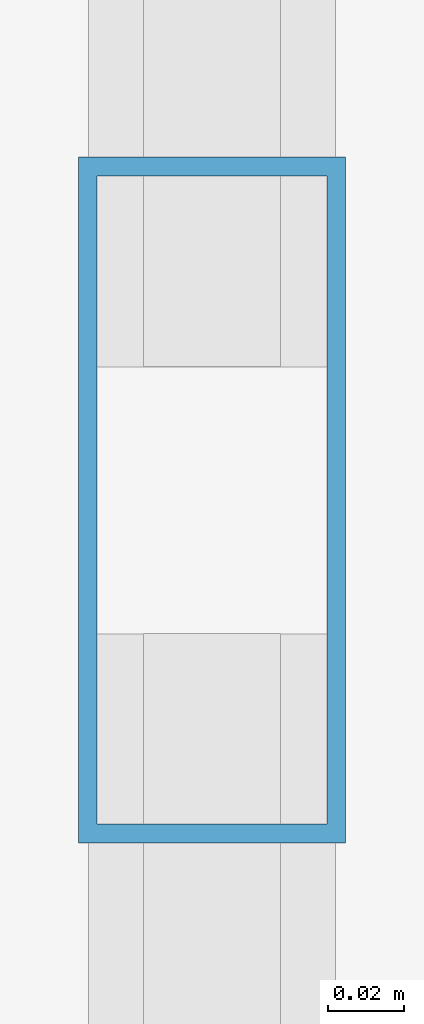
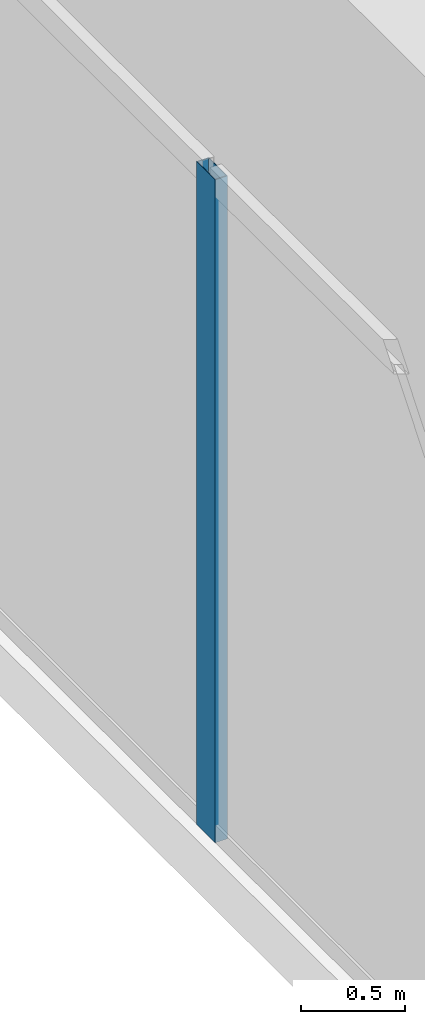
# One storey, part 9 of 32: 1 member, 1 element without a shape of its own.
"""IFC4 building model written with IfcOpenShell, lengths in metres."""

from ifc_helpers import new_model, si_unit, direction, frame, origin, origin_2d, place, context, subcontext, project, spatial, hollow_rectangle, extrude, source, transform, mapped, material, layer, layer_set, material_profile, profile_set, type_object, type_shapes, element, aggregate, save


model = new_model("IFC4")

# Units and contexts
model_context = context("Model", 3, precision=1e-05, world=origin(), true_north=direction((0.0, 1.0)))
body_context = subcontext(model_context, "Body", "Model", "MODEL_VIEW")
ifc_project = project(units=[si_unit("LENGTHUNIT", "METRE"), si_unit("AREAUNIT", "SQUARE_METRE"), si_unit("VOLUMEUNIT", "CUBIC_METRE"), si_unit("PLANEANGLEUNIT", "RADIAN"), si_unit("MASSUNIT", "GRAM", prefix="KILO")], contexts=[model_context])

# Site, building, storey
site_placement = place(None, origin())
site = spatial("IfcSite", under=ifc_project, at=site_placement, CompositionType="ELEMENT")
building_placement = place(site_placement, origin())
building = spatial("IfcBuilding", under=site, at=building_placement, Name="Haelvirn Gate Laboratories", CompositionType="ELEMENT")
storey_placement = place(building_placement, frame((0.0, 0.0, 314.39990234375)))
storey = spatial("IfcBuildingStorey", under=building, at=storey_placement, Name="L75", CompositionType="ELEMENT", Elevation=314.39990234375)

# Curtain wall, member
ifc_material_1 = material(Name="Anodised bronze unitised aluminium & triple low-E glass", Category="aluminium")
ifc_layer = layer(ifc_material_1, 0.176025390625, Name="CW-SYS-4")
ifc_layer_set = layer_set([ifc_layer], Name="Anodised bronze unitised aluminium & triple low-E glass")
curtain_wall_type = type_object("IfcCurtainWallType", Name="CW-SYS-4", PredefinedType="NOTDEFINED", material=ifc_layer_set)
curtain_wall_placement = place(storey_placement, origin())
curtain_wall = element("IfcCurtainWall", 1, at=curtain_wall_placement, inside=storey, type_object=curtain_wall_type, Name="L75 Unitised Curtain Wall CW-L75-P0-E17", PredefinedType="NOTDEFINED")
ifc_material_2 = material(Name="Extruded aluminium 6063-T6 (anodised bronze)", Category="aluminium")
ifc_material_profile = material_profile(ifc_material_2, hollow_rectangle(XDim=0.070068359375, YDim=0.179931640625, WallThickness=0.0048828125, at=origin_2d()), Name="CWM-180x70x5")
ifc_profile_set = profile_set([ifc_material_profile], Name="Extruded aluminium 6063-T6 (anodised bronze)")
member_type = type_object("IfcMemberType", Name="CWM-T180", PredefinedType="MULLION", material=ifc_profile_set)
shared_shape = source(origin(), body_context, "Body", "SweptSolid", [
    extrude(hollow_rectangle(XDim=0.070068359375, YDim=0.179931640625, WallThickness=0.0048828125, at=origin_2d()), origin(), (0.0, 0.0, 1.0), 3.900146484375),
])
type_shapes(member_type, [shared_shape])
member_placement = place(storey_placement, frame((5.89990234375, 24.300048828125, 0.0), z_axis=(0.0, 0.0, 1.0), x_axis=(1.0, 0.0, 0.0)))
member = element("IfcMember", 2, at=member_placement, type_object=member_type, Name="CW4 mullion 2", PredefinedType="MULLION", context=body_context, shape_type="MappedRepresentation", body=[
    mapped(shared_shape, transform((0.0, 0.0, 0.0), scale=1.0)),
])
aggregate(curtain_wall, [member])

save(model, "model.ifc")
